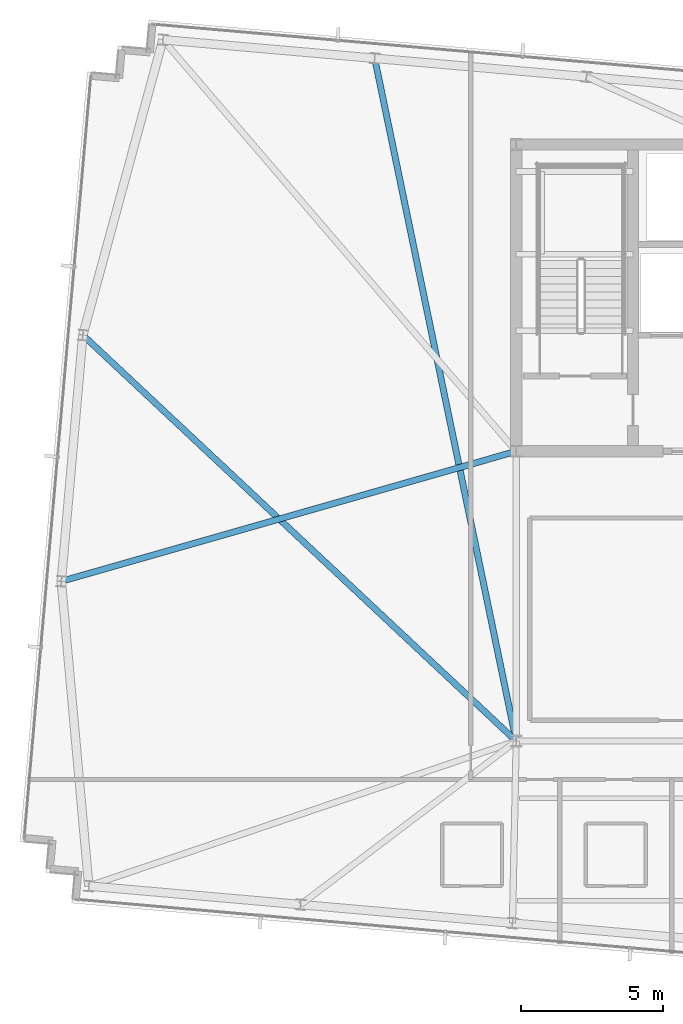
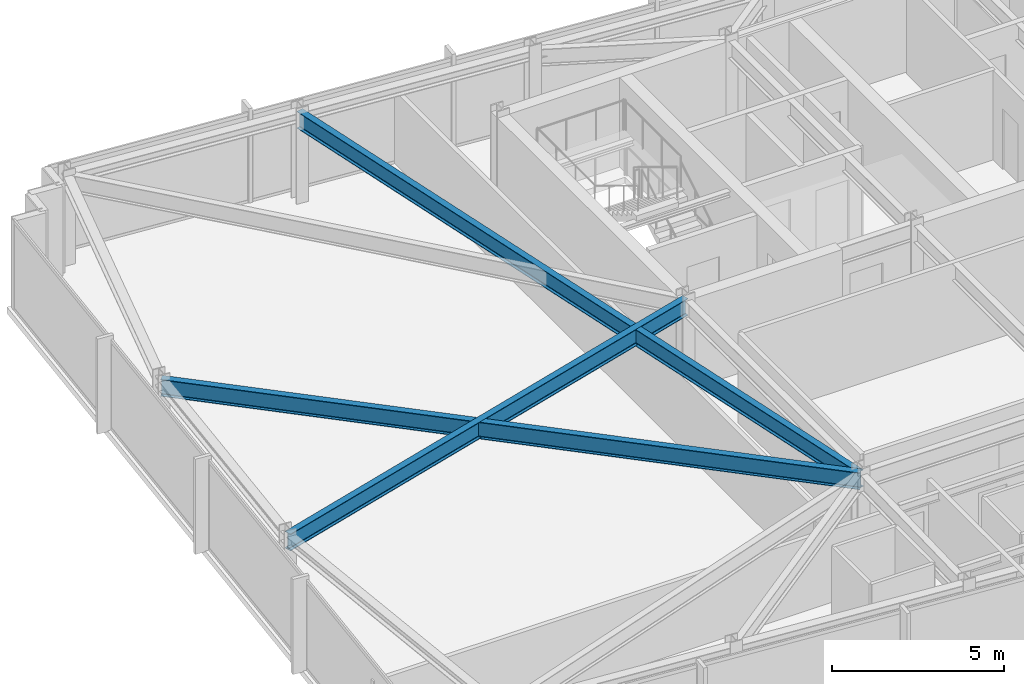
# One storey, part 10 of 33: 3 beams.
"""IFC4 building model written with IfcOpenShell, lengths in metres."""

from ifc_helpers import new_model, si_unit, direction, frame, origin, origin_2d, place, context, subcontext, project, spatial, i_section, extrude, material, material_profile, profile_set, type_object, element, save


model = new_model("IFC4")

# Units and contexts
model_context = context("Model", 3, precision=1e-05, world=origin(), true_north=direction((0.0, 1.0)))
body_context = subcontext(model_context, "Body", "Model", "MODEL_VIEW")
ifc_project = project(units=[si_unit("LENGTHUNIT", "METRE"), si_unit("AREAUNIT", "SQUARE_METRE"), si_unit("VOLUMEUNIT", "CUBIC_METRE"), si_unit("PLANEANGLEUNIT", "RADIAN"), si_unit("MASSUNIT", "GRAM", prefix="KILO")], contexts=[model_context])

# Site, building, storey
site_placement = place(None, origin())
site = spatial("IfcSite", under=ifc_project, at=site_placement, CompositionType="ELEMENT")
building_placement = place(site_placement, origin())
building = spatial("IfcBuilding", under=site, at=building_placement, Name="Yelkora Congress Tower", CompositionType="ELEMENT")
storey_placement = place(building_placement, frame((0.0, 0.0, 282.89990234375)))
storey = spatial("IfcBuildingStorey", under=building, at=storey_placement, Name="L79", CompositionType="ELEMENT", Elevation=282.89990234375)

# Beams
ifc_material = material(Name="Steel S355J2", Category="steel")
ifc_material_profile = material_profile(ifc_material, i_section(OverallWidth=0.219970703125, OverallDepth=0.60009765625, WebThickness=0.011962890625, FlangeThickness=0.01904296875, FilletRadius=0.02392578125, at=origin_2d()), Name="IPE 600")
ifc_profile_set = profile_set([ifc_material_profile], Name="Steel S355J2")
beam_type = type_object("IfcBeamType", Name="BM-GIRD-IPE600", PredefinedType="BEAM", material=ifc_profile_set)
beam_1_placement = place(storey_placement, frame((18.058837890625, 49.231689453125, 2.880126953125), z_axis=(0.202961834344, -0.979186649112, 0.0), x_axis=(0.979186649112, 0.202961834344, 0.0)))
element("IfcBeam", 1, at=beam_1_placement, inside=storey, type_object=beam_type, Name="L79 Primary Frame Girder N02", PredefinedType="BEAM", context=body_context, shape_type="SweptSolid", body=[
    extrude(i_section(OverallWidth=0.219970703125, OverallDepth=0.60009765625, WebThickness=0.011962890625, FlangeThickness=0.01904296875, FilletRadius=0.02392578125, at=origin_2d()), origin(), (0.0, 0.0, 1.0), 24.54248046875),
])
beam_2_placement = place(storey_placement, frame((7.029052734375, 30.822998046875, 2.880126953125), z_axis=(0.961486871307, 0.274850861932, 0.0), x_axis=(-0.274850861932, 0.961486871307, 0.0)))
element("IfcBeam", 2, at=beam_2_placement, inside=storey, type_object=beam_type, Name="L79 Primary Frame Girder W01", PredefinedType="BEAM", context=body_context, shape_type="SweptSolid", body=[
    extrude(i_section(OverallWidth=0.219970703125, OverallDepth=0.60009765625, WebThickness=0.011962890625, FlangeThickness=0.01904296875, FilletRadius=0.02392578125, at=origin_2d()), origin(), (0.0, 0.0, 1.0), 16.65234375),
])
beam_3_placement = place(storey_placement, frame((7.787353515625, 39.489990234375, 2.880126953125), z_axis=(0.729760461145, -0.683702910152, 0.0), x_axis=(0.683702910152, 0.729760461145, 0.0)))
element("IfcBeam", 3, at=beam_3_placement, inside=storey, type_object=beam_type, Name="L79 Primary Frame Girder W02", PredefinedType="BEAM", context=body_context, shape_type="SweptSolid", body=[
    extrude(i_section(OverallWidth=0.219970703125, OverallDepth=0.60009765625, WebThickness=0.011962890625, FlangeThickness=0.01904296875, FilletRadius=0.02392578125, at=origin_2d()), origin(), (0.0, 0.0, 1.0), 20.90087890625),
])

save(model, "model.ifc")
